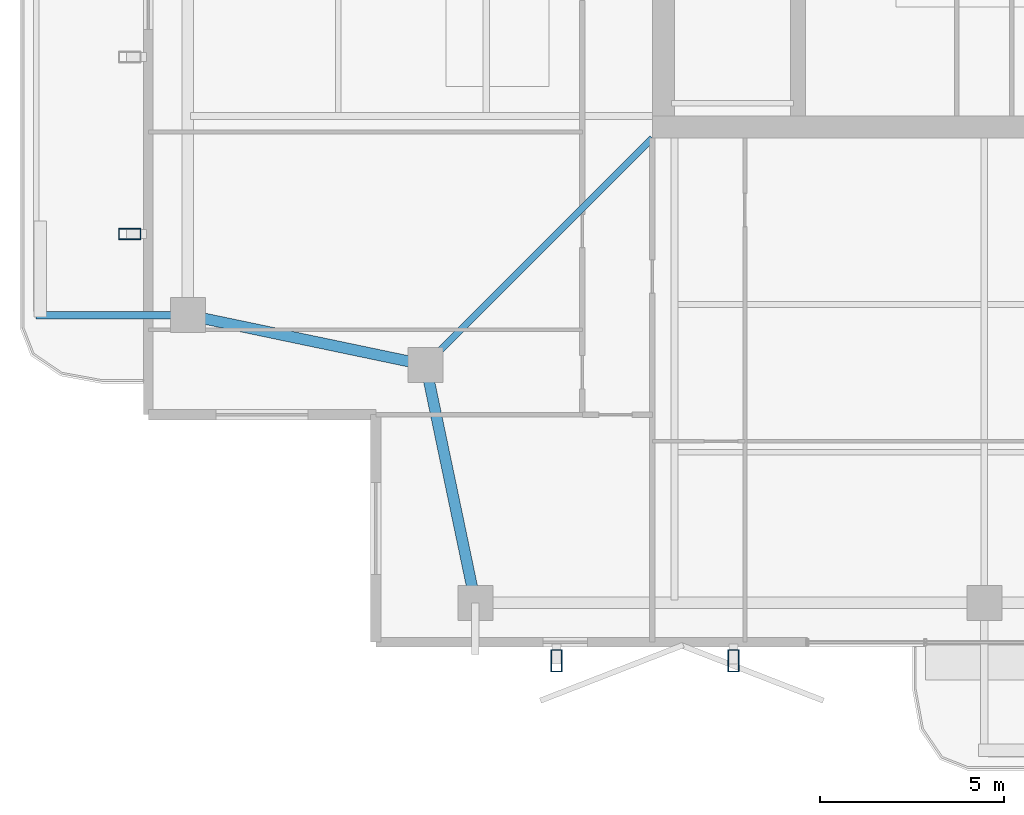
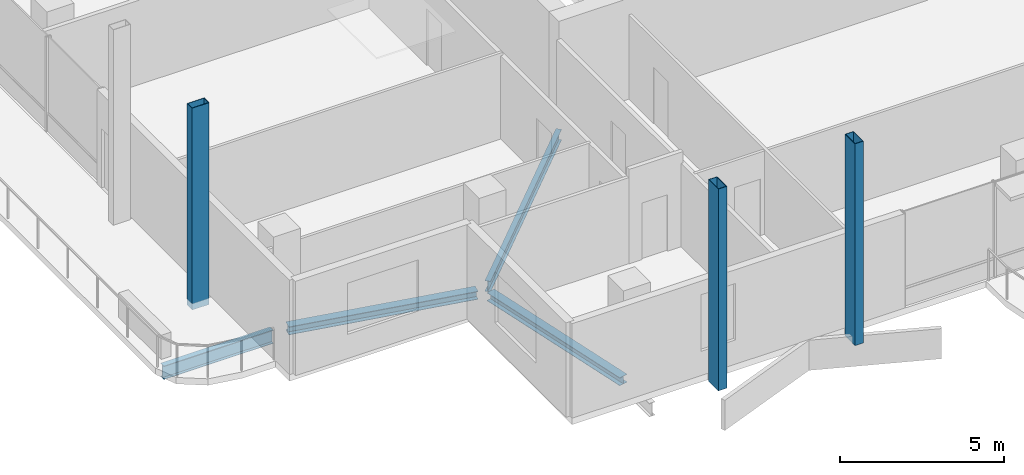
# One storey, part 2 of 20: 4 beams, 3 members.
"""IFC4 building model written with IfcOpenShell, lengths in metres."""

from ifc_helpers import new_model, si_unit, direction, frame, origin, origin_2d, place, context, subcontext, project, spatial, hollow_rectangle, i_section, extrude, material, material_profile, profile_set, type_object, element, save


model = new_model("IFC4")

# Units and contexts
model_context = context("Model", 3, precision=1e-05, world=origin(), true_north=direction((0.0, 1.0)))
body_context = subcontext(model_context, "Body", "Model", "MODEL_VIEW")
ifc_project = project(units=[si_unit("LENGTHUNIT", "METRE"), si_unit("AREAUNIT", "SQUARE_METRE"), si_unit("VOLUMEUNIT", "CUBIC_METRE"), si_unit("PLANEANGLEUNIT", "RADIAN"), si_unit("MASSUNIT", "GRAM", prefix="KILO")], contexts=[model_context])

# Site, building, storey
site_placement = place(None, origin())
site = spatial("IfcSite", under=ifc_project, at=site_placement, CompositionType="ELEMENT")
building_placement = place(site_placement, origin())
building = spatial("IfcBuilding", under=site, at=building_placement, Name="Belovzor Exchange Tower", CompositionType="ELEMENT")
storey_placement = place(building_placement, frame((0.0, 0.0, 306.75)))
storey = spatial("IfcBuildingStorey", under=building, at=storey_placement, Name="L76", CompositionType="ELEMENT", Elevation=306.75)

# Beam
ifc_material_1 = material(Name="Steel S355", Category="steel")
ifc_material_profile_1 = material_profile(ifc_material_1, i_section(OverallWidth=0.199951171875, OverallDepth=0.5, WebThickness=0.01025390625, FlangeThickness=0.01611328125, at=origin_2d()))
ifc_profile_set_1 = profile_set([ifc_material_profile_1], Name="Steel S355")
beam_type_1 = type_object("IfcBeamType", Name="Planted Balcony Cantilever Beam IPE 500", PredefinedType="BEAM", material=ifc_profile_set_1)
beam_1_placement = place(storey_placement, frame((6.93896484375, 15.0, -0.489990234375), z_axis=(-1.0, 0.0, 0.0), x_axis=(0.0, -1.0, 0.0)))
element("IfcBeam", 1, at=beam_1_placement, inside=storey, type_object=beam_type_1, Name="BC-500 Planted Balcony Cantilever Beam IPE 500", PredefinedType="BEAM", context=body_context, shape_type="SweptSolid", body=[
    extrude(i_section(OverallWidth=0.199951171875, OverallDepth=0.5, WebThickness=0.01025390625, FlangeThickness=0.01611328125, at=origin_2d()), origin(), (0.0, 0.0, 1.0), 3.849853515625),
])

# Members
ifc_material_2 = material(Name="Extruded Architectural Terracotta on Steel S355 Carrier", Category="masonry")
ifc_material_profile_2 = material_profile(ifc_material_2, hollow_rectangle(XDim=0.300048828125, YDim=0.60009765625, WallThickness=0.01611328125, at=origin_2d()))
ifc_profile_set_2 = profile_set([ifc_material_profile_2], Name="Extruded Architectural Terracotta on Steel S355 Carrier")
member_type = type_object("IfcMemberType", Name="Upper Crown Terracotta Fin Assembly 550", PredefinedType="USERDEFINED", material=ifc_profile_set_2)
for number, where, z_axis, x_axis, name in (
    (2, (17.199951171875, 5.625, -0.239990234375), (0.0, 0.0, 1.0), (1.0, 0.0, 0.0), "FIN-TC055 Terracotta Facade Fin L76 S1"),
    (3, (5.625, 17.199951171875, -0.239990234375), (0.0, 0.0, 1.0), (0.0, 1.0, 0.0), "FIN-TC055 Terracotta Facade Fin L76 W1"),
    (4, (22.0, 5.625, -0.239990234375), (0.0, 0.0, 1.0), (1.0, 0.0, 0.0), "FIN-TC055 Terracotta Facade Fin L76 S2"),
):
    element("IfcMember", number, at=place(storey_placement, frame(where, z_axis=z_axis, x_axis=x_axis)), inside=storey, type_object=member_type, Name=name, ObjectType="FIN", PredefinedType="USERDEFINED", context=body_context, shape_type="SweptSolid", body=[
        extrude(hollow_rectangle(XDim=0.300048828125, YDim=0.60009765625, WallThickness=0.01611328125, at=origin_2d()), origin(), (0.0, 0.0, 1.0), 7.5),
    ])

# Beams
ifc_material_3 = material(Name="Steel S355", Category="steel")
ifc_material_profile_3 = material_profile(ifc_material_3, i_section(OverallWidth=0.179931640625, OverallDepth=0.39990234375, WebThickness=0.008544921875, FlangeThickness=0.013427734375, at=origin_2d()))
ifc_profile_set_3 = profile_set([ifc_material_profile_3], Name="Steel S355")
beam_type_2 = type_object("IfcBeamType", Name="Zone 5-6 Radial Composite Floor Beam IPE 400", PredefinedType="BEAM", material=ifc_profile_set_3)
beam_2_placement = place(storey_placement, frame((19.800048828125, 19.800048828125, -0.43994140625), z_axis=(-0.707106781187, -0.707106781187, 0.0), x_axis=(0.707106781187, -0.707106781187, 0.0)))
element("IfcBeam", 5, at=beam_2_placement, inside=storey, type_object=beam_type_2, Name="FB-400 Zone 5-6 Radial Composite Floor Beam IPE 400", PredefinedType="BEAM", context=body_context, shape_type="SweptSolid", body=[
    extrude(i_section(OverallWidth=0.179931640625, OverallDepth=0.39990234375, WebThickness=0.008544921875, FlangeThickness=0.013427734375, at=origin_2d()), origin(), (0.0, 0.0, 1.0), 8.361083984375),
])
ifc_material_4 = material(Name="Steel S355", Category="steel")
ifc_material_profile_4 = material_profile(ifc_material_4, i_section(OverallWidth=0.300048828125, OverallDepth=0.300048828125, WebThickness=0.008544921875, FlangeThickness=0.013916015625, at=origin_2d()))
ifc_profile_set_4 = profile_set([ifc_material_profile_4], Name="Steel S355")
beam_type_3 = type_object("IfcBeamType", Name="Zone 6 Primary Girder HEA 300", PredefinedType="BEAM", material=ifc_profile_set_4)
for number, where, z_axis, x_axis, name in (
    (6, (13.7041015625, 13.39404296875, -0.389892578125), (0.204722380619, -0.978820078908, 0.0), (0.978820078908, 0.204722380619, 0.0), "FG-Z6 Zone 6 Primary Girder HEA 300"),
    (7, (7.4560546875, 14.946044921875, -0.389892578125), (0.978820078908, -0.204722380619, 0.0), (0.204722380619, 0.978820078908, 0.0), "FG-Z6 Zone 6 Primary Girder HEA 300"),
):
    element("IfcBeam", number, at=place(storey_placement, frame(where, z_axis=z_axis, x_axis=x_axis)), inside=storey, type_object=beam_type_3, Name=name, PredefinedType="BEAM", context=body_context, shape_type="SweptSolid", body=[
        extrude(i_section(OverallWidth=0.300048828125, OverallDepth=0.300048828125, WebThickness=0.008544921875, FlangeThickness=0.013916015625, at=origin_2d()), origin(), (0.0, 0.0, 1.0), 6.06640625),
    ])

save(model, "model.ifc")
